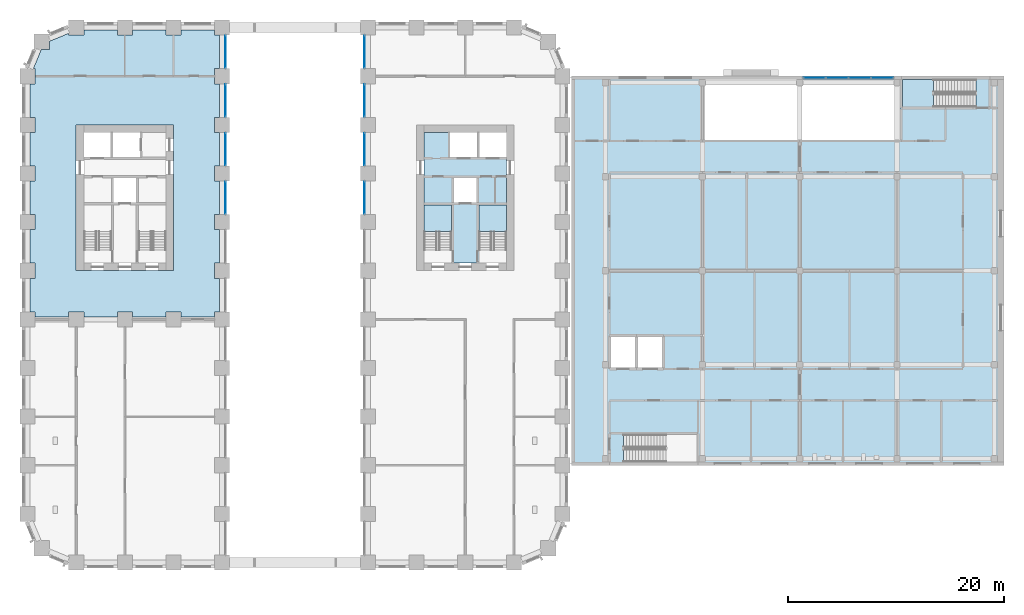
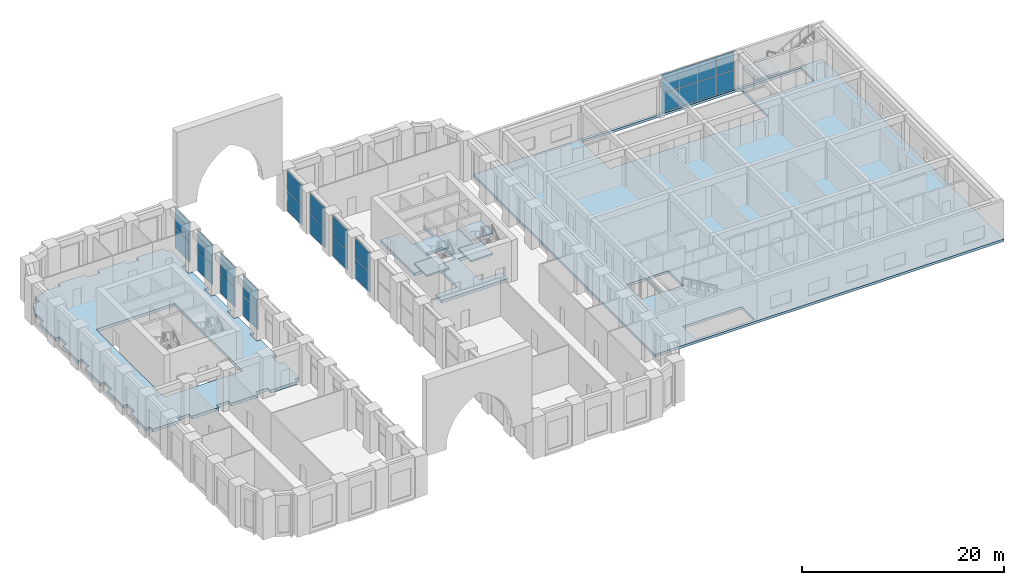
# One storey, part 9 of 25: 24 plates, 8 slabs, 12 elements without a shape of their own.
"""IFC4 building model written with IfcOpenShell, lengths in metres."""

from ifc_helpers import new_model, si_unit, direction, frame, origin, origin_2d, place, context, subcontext, project, spatial, polyline, rectangle, outline, extrude, material, layer, layer_set, type_object, element, aggregate, save


model = new_model("IFC4")

# Units and contexts
model_context = context("Model", 3, precision=1e-05, world=origin(), true_north=direction((0.0, 1.0)))
body_context = subcontext(model_context, "Body", "Model", "MODEL_VIEW")
ifc_project = project(units=[si_unit("LENGTHUNIT", "METRE"), si_unit("AREAUNIT", "SQUARE_METRE"), si_unit("VOLUMEUNIT", "CUBIC_METRE"), si_unit("PLANEANGLEUNIT", "RADIAN"), si_unit("MASSUNIT", "GRAM", prefix="KILO")], contexts=[model_context])

# Site, building, storey
site_placement = place(None, origin())
site = spatial("IfcSite", under=ifc_project, at=site_placement, CompositionType="ELEMENT")
building_placement = place(site_placement, origin())
building = spatial("IfcBuilding", under=site, at=building_placement, Name="Girih Gate Residences", CompositionType="ELEMENT")
storey_placement = place(building_placement, frame((0.0, 0.0, 6.0)))
storey = spatial("IfcBuildingStorey", under=building, at=storey_placement, Name="L01", CompositionType="ELEMENT", Elevation=6.0)

# Slab
ifc_material_1 = material(Name="Concrete C40/50", Category="concrete")
ifc_layer_1 = layer(ifc_material_1, 0.35009765625)
ifc_layer_set_1 = layer_set([ifc_layer_1], Name="Core floor slab 350")
slab_type_1 = type_object("IfcSlabType", Name="Core floor slab 350", PredefinedType="FLOOR", material=ifc_layer_set_1)
slab_1_placement = place(storey_placement, frame((0.0, 0.0, -0.35009765625)))
element("IfcSlab", 1, at=slab_1_placement, inside=storey, type_object=slab_type_1, Name="L01 E core floor", PredefinedType="FLOOR", context=body_context, shape_type="SweptSolid", body=[
    extrude(outline(polyline([(44.300048828125, 27.699951171875), (36.699951171875, 27.699951171875), (36.699951171875, 28.900634765625), (39.25, 28.900634765625), (39.25, 33.10009765625), (36.699951171875, 33.10009765625), (36.699951171875, 39.800048828125), (39.10009765625, 39.800048828125), (39.10009765625, 37.5), (41.60009765625, 37.5), (41.60009765625, 39.800048828125), (41.800048828125, 39.800048828125), (41.800048828125, 37.5), (44.300048828125, 37.5), (44.300048828125, 33.10009765625), (41.75, 33.10009765625), (41.75, 28.900634765625), (44.300048828125, 28.900634765625), (44.300048828125, 27.699951171875)]), holes=[polyline([(39.449951171875, 33.300048828125), (41.550048828125, 33.300048828125), (41.550048828125, 35.60009765625), (39.449951171875, 35.60009765625), (39.449951171875, 33.300048828125)])]), origin(), (0.0, 0.0, 1.0), 0.35009765625),
])

# Curtain wall, plates
ifc_material_2 = material(Name="Aluminium curtain wall frame", Category="aluminium")
curtain_wall_type_1 = type_object("IfcCurtainWallType", Name="Curtain wall CW-2 podium amenity glazing", PredefinedType="NOTDEFINED", material=ifc_material_2)
curtain_wall_1_placement = place(storey_placement, origin())
curtain_wall_1 = element("IfcCurtainWall", 2, at=curtain_wall_1_placement, inside=storey, type_object=curtain_wall_type_1, Name="CW-2 Podium amenity glazing E0180_0000.7", PredefinedType="NOTDEFINED")
ifc_material_3 = material(Name="Double glazed unit")
ifc_layer_2 = layer(ifc_material_3, 0.028076171875)
ifc_layer_set_2 = layer_set([ifc_layer_2], Name="Curtain wall glass panel 28")
plate_type_1 = type_object("IfcPlateType", Name="Curtain wall glass panel 28", PredefinedType="CURTAIN_PANEL", material=ifc_layer_set_2)
plate_1_placement = place(storey_placement, frame((18.31494140625, 33.75, 0.06005859375), z_axis=(0.0, 0.0, 1.0), x_axis=(0.0, 1.0, 0.0)))
plate_1 = element("IfcPlate", 3, at=plate_1_placement, type_object=plate_type_1, Name="CW-2 panel 1.1", PredefinedType="CURTAIN_PANEL", context=body_context, shape_type="SweptSolid", body=[
    extrude(rectangle(XDim=2.97998046875, YDim=0.028076171875, at=origin_2d()), origin(), (0.0, 0.0, 1.0), 2.409912109375),
])
plate_2_placement = place(storey_placement, frame((18.31494140625, 33.75, 2.5302734375), z_axis=(0.0, 0.0, 1.0), x_axis=(0.0, 1.0, 0.0)))
plate_2 = element("IfcPlate", 4, at=plate_2_placement, type_object=plate_type_1, Name="CW-2 panel 1.2", PredefinedType="CURTAIN_PANEL", context=body_context, shape_type="SweptSolid", body=[
    extrude(rectangle(XDim=2.97998046875, YDim=0.028076171875, at=origin_2d()), origin(), (0.0, 0.0, 1.0), 2.409912109375),
])
aggregate(curtain_wall_1, [plate_1, plate_2])

curtain_wall_2_placement = place(storey_placement, origin())
curtain_wall_2 = element("IfcCurtainWall", 5, at=curtain_wall_2_placement, inside=storey, type_object=curtain_wall_type_1, Name="CW-2 Podium amenity glazing E0180_0000.8", PredefinedType="NOTDEFINED")
plate_3_placement = place(storey_placement, frame((18.31494140625, 38.25, 0.06005859375), z_axis=(0.0, 0.0, 1.0), x_axis=(0.0, 1.0, 0.0)))
plate_3 = element("IfcPlate", 6, at=plate_3_placement, type_object=plate_type_1, Name="CW-2 panel 1.1", PredefinedType="CURTAIN_PANEL", context=body_context, shape_type="SweptSolid", body=[
    extrude(rectangle(XDim=2.97998046875, YDim=0.028076171875, at=origin_2d()), origin(), (0.0, 0.0, 1.0), 2.409912109375),
])
plate_4_placement = place(storey_placement, frame((18.31494140625, 38.25, 2.5302734375), z_axis=(0.0, 0.0, 1.0), x_axis=(0.0, 1.0, 0.0)))
plate_4 = element("IfcPlate", 7, at=plate_4_placement, type_object=plate_type_1, Name="CW-2 panel 1.2", PredefinedType="CURTAIN_PANEL", context=body_context, shape_type="SweptSolid", body=[
    extrude(rectangle(XDim=2.97998046875, YDim=0.028076171875, at=origin_2d()), origin(), (0.0, 0.0, 1.0), 2.409912109375),
])
aggregate(curtain_wall_2, [plate_3, plate_4])

curtain_wall_3_placement = place(storey_placement, origin())
curtain_wall_3 = element("IfcCurtainWall", 8, at=curtain_wall_3_placement, inside=storey, type_object=curtain_wall_type_1, Name="CW-2 Podium amenity glazing E0180_0000.9", PredefinedType="NOTDEFINED")
plate_5_placement = place(storey_placement, frame((18.31494140625, 42.75, 0.06005859375), z_axis=(0.0, 0.0, 1.0), x_axis=(0.0, 1.0, 0.0)))
plate_5 = element("IfcPlate", 9, at=plate_5_placement, type_object=plate_type_1, Name="CW-2 panel 1.1", PredefinedType="CURTAIN_PANEL", context=body_context, shape_type="SweptSolid", body=[
    extrude(rectangle(XDim=2.97998046875, YDim=0.028076171875, at=origin_2d()), origin(), (0.0, 0.0, 1.0), 2.409912109375),
])
plate_6_placement = place(storey_placement, frame((18.31494140625, 42.75, 2.5302734375), z_axis=(0.0, 0.0, 1.0), x_axis=(0.0, 1.0, 0.0)))
plate_6 = element("IfcPlate", 10, at=plate_6_placement, type_object=plate_type_1, Name="CW-2 panel 1.2", PredefinedType="CURTAIN_PANEL", context=body_context, shape_type="SweptSolid", body=[
    extrude(rectangle(XDim=2.97998046875, YDim=0.028076171875, at=origin_2d()), origin(), (0.0, 0.0, 1.0), 2.409912109375),
])
aggregate(curtain_wall_3, [plate_5, plate_6])

curtain_wall_4_placement = place(storey_placement, origin())
curtain_wall_4 = element("IfcCurtainWall", 11, at=curtain_wall_4_placement, inside=storey, type_object=curtain_wall_type_1, Name="CW-2 Podium amenity glazing E0180_0000.10", PredefinedType="NOTDEFINED")
plate_7_placement = place(storey_placement, frame((18.31494140625, 47.25, 0.06005859375), z_axis=(0.0, 0.0, 1.0), x_axis=(0.0, 1.0, 0.0)))
plate_7 = element("IfcPlate", 12, at=plate_7_placement, type_object=plate_type_1, Name="CW-2 panel 1.1", PredefinedType="CURTAIN_PANEL", context=body_context, shape_type="SweptSolid", body=[
    extrude(rectangle(XDim=2.97998046875, YDim=0.028076171875, at=origin_2d()), origin(), (0.0, 0.0, 1.0), 2.409912109375),
])
plate_8_placement = place(storey_placement, frame((18.31494140625, 47.25, 2.5302734375), z_axis=(0.0, 0.0, 1.0), x_axis=(0.0, 1.0, 0.0)))
plate_8 = element("IfcPlate", 13, at=plate_8_placement, type_object=plate_type_1, Name="CW-2 panel 1.2", PredefinedType="CURTAIN_PANEL", context=body_context, shape_type="SweptSolid", body=[
    extrude(rectangle(XDim=2.97998046875, YDim=0.028076171875, at=origin_2d()), origin(), (0.0, 0.0, 1.0), 2.409912109375),
])
aggregate(curtain_wall_4, [plate_7, plate_8])

curtain_wall_5_placement = place(storey_placement, origin())
curtain_wall_5 = element("IfcCurtainWall", 14, at=curtain_wall_5_placement, inside=storey, type_object=curtain_wall_type_1, Name="CW-2 Podium amenity glazing W0315_0495.0", PredefinedType="NOTDEFINED")
plate_9_placement = place(storey_placement, frame((31.18505859375, 47.25, 0.06005859375), z_axis=(0.0, 0.0, 1.0), x_axis=(0.0, -1.0, 0.0)))
plate_9 = element("IfcPlate", 15, at=plate_9_placement, type_object=plate_type_1, Name="CW-2 panel 1.1", PredefinedType="CURTAIN_PANEL", context=body_context, shape_type="SweptSolid", body=[
    extrude(rectangle(XDim=2.97998046875, YDim=0.028076171875, at=origin_2d()), origin(), (0.0, 0.0, 1.0), 2.409912109375),
])
plate_10_placement = place(storey_placement, frame((31.18505859375, 47.25, 2.5302734375), z_axis=(0.0, 0.0, 1.0), x_axis=(0.0, -1.0, 0.0)))
plate_10 = element("IfcPlate", 16, at=plate_10_placement, type_object=plate_type_1, Name="CW-2 panel 1.2", PredefinedType="CURTAIN_PANEL", context=body_context, shape_type="SweptSolid", body=[
    extrude(rectangle(XDim=2.97998046875, YDim=0.028076171875, at=origin_2d()), origin(), (0.0, 0.0, 1.0), 2.409912109375),
])
aggregate(curtain_wall_5, [plate_9, plate_10])

curtain_wall_6_placement = place(storey_placement, origin())
curtain_wall_6 = element("IfcCurtainWall", 17, at=curtain_wall_6_placement, inside=storey, type_object=curtain_wall_type_1, Name="CW-2 Podium amenity glazing W0315_0495.1", PredefinedType="NOTDEFINED")
plate_11_placement = place(storey_placement, frame((31.18505859375, 42.75, 0.06005859375), z_axis=(0.0, 0.0, 1.0), x_axis=(0.0, -1.0, 0.0)))
plate_11 = element("IfcPlate", 18, at=plate_11_placement, type_object=plate_type_1, Name="CW-2 panel 1.1", PredefinedType="CURTAIN_PANEL", context=body_context, shape_type="SweptSolid", body=[
    extrude(rectangle(XDim=2.97998046875, YDim=0.028076171875, at=origin_2d()), origin(), (0.0, 0.0, 1.0), 2.409912109375),
])
plate_12_placement = place(storey_placement, frame((31.18505859375, 42.75, 2.5302734375), z_axis=(0.0, 0.0, 1.0), x_axis=(0.0, -1.0, 0.0)))
plate_12 = element("IfcPlate", 19, at=plate_12_placement, type_object=plate_type_1, Name="CW-2 panel 1.2", PredefinedType="CURTAIN_PANEL", context=body_context, shape_type="SweptSolid", body=[
    extrude(rectangle(XDim=2.97998046875, YDim=0.028076171875, at=origin_2d()), origin(), (0.0, 0.0, 1.0), 2.409912109375),
])
aggregate(curtain_wall_6, [plate_11, plate_12])

curtain_wall_7_placement = place(storey_placement, origin())
curtain_wall_7 = element("IfcCurtainWall", 20, at=curtain_wall_7_placement, inside=storey, type_object=curtain_wall_type_1, Name="CW-2 Podium amenity glazing W0315_0495.2", PredefinedType="NOTDEFINED")
plate_13_placement = place(storey_placement, frame((31.18505859375, 38.25, 0.06005859375), z_axis=(0.0, 0.0, 1.0), x_axis=(0.0, -1.0, 0.0)))
plate_13 = element("IfcPlate", 21, at=plate_13_placement, type_object=plate_type_1, Name="CW-2 panel 1.1", PredefinedType="CURTAIN_PANEL", context=body_context, shape_type="SweptSolid", body=[
    extrude(rectangle(XDim=2.97998046875, YDim=0.028076171875, at=origin_2d()), origin(), (0.0, 0.0, 1.0), 2.409912109375),
])
plate_14_placement = place(storey_placement, frame((31.18505859375, 38.25, 2.5302734375), z_axis=(0.0, 0.0, 1.0), x_axis=(0.0, -1.0, 0.0)))
plate_14 = element("IfcPlate", 22, at=plate_14_placement, type_object=plate_type_1, Name="CW-2 panel 1.2", PredefinedType="CURTAIN_PANEL", context=body_context, shape_type="SweptSolid", body=[
    extrude(rectangle(XDim=2.97998046875, YDim=0.028076171875, at=origin_2d()), origin(), (0.0, 0.0, 1.0), 2.409912109375),
])
aggregate(curtain_wall_7, [plate_13, plate_14])

curtain_wall_8_placement = place(storey_placement, origin())
curtain_wall_8 = element("IfcCurtainWall", 23, at=curtain_wall_8_placement, inside=storey, type_object=curtain_wall_type_1, Name="CW-2 Podium amenity glazing W0315_0495.3", PredefinedType="NOTDEFINED")
plate_15_placement = place(storey_placement, frame((31.18505859375, 33.75, 0.06005859375), z_axis=(0.0, 0.0, 1.0), x_axis=(0.0, -1.0, 0.0)))
plate_15 = element("IfcPlate", 24, at=plate_15_placement, type_object=plate_type_1, Name="CW-2 panel 1.1", PredefinedType="CURTAIN_PANEL", context=body_context, shape_type="SweptSolid", body=[
    extrude(rectangle(XDim=2.97998046875, YDim=0.028076171875, at=origin_2d()), origin(), (0.0, 0.0, 1.0), 2.409912109375),
])
plate_16_placement = place(storey_placement, frame((31.18505859375, 33.75, 2.5302734375), z_axis=(0.0, 0.0, 1.0), x_axis=(0.0, -1.0, 0.0)))
plate_16 = element("IfcPlate", 25, at=plate_16_placement, type_object=plate_type_1, Name="CW-2 panel 1.2", PredefinedType="CURTAIN_PANEL", context=body_context, shape_type="SweptSolid", body=[
    extrude(rectangle(XDim=2.97998046875, YDim=0.028076171875, at=origin_2d()), origin(), (0.0, 0.0, 1.0), 2.409912109375),
])
aggregate(curtain_wall_8, [plate_15, plate_16])

# Slab
ifc_layer_3 = layer(ifc_material_1, 0.35009765625)
ifc_layer_set_3 = layer_set([ifc_layer_3], Name="Floor slab PT 350 Concrete C40/50")
slab_type_2 = type_object("IfcSlabType", Name="Floor slab PT 350 Concrete C40/50", PredefinedType="FLOOR", material=ifc_layer_set_3)
slab_2_placement = place(storey_placement, frame((0.0, 0.0, -0.35009765625)))
element("IfcSlab", 26, at=slab_2_placement, inside=storey, type_object=slab_type_2, Name="Floor slab L01 2", PredefinedType="FLOOR", context=body_context, shape_type="SweptSolid", body=[
    extrude(outline(polyline([(0.22509765625, 26.300048828125), (0.22509765625, 23.199951171875), (0.699951171875, 23.199951171875), (0.699951171875, 22.72509765625), (3.800048828125, 22.72509765625), (3.800048828125, 23.199951171875), (5.199951171875, 23.199951171875), (5.199951171875, 22.72509765625), (8.300048828125, 22.72509765625), (8.300048828125, 23.199951171875), (9.699951171875, 23.199951171875), (9.699951171875, 22.72509765625), (12.800048828125, 22.72509765625), (12.800048828125, 23.199951171875), (14.199951171875, 23.199951171875), (14.199951171875, 22.72509765625), (17.300048828125, 22.72509765625), (17.300048828125, 23.199951171875), (17.77490234375, 23.199951171875), (17.77490234375, 26.300048828125), (17.300048828125, 26.300048828125), (17.300048828125, 27.699951171875), (17.77490234375, 27.699951171875), (17.77490234375, 30.800048828125), (17.300048828125, 30.800048828125), (17.300048828125, 32.199951171875), (17.77490234375, 32.199951171875), (17.77490234375, 35.300048828125), (17.300048828125, 35.300048828125), (17.300048828125, 36.699951171875), (17.77490234375, 36.699951171875), (17.77490234375, 39.800048828125), (17.300048828125, 39.800048828125), (17.300048828125, 41.199951171875), (17.77490234375, 41.199951171875), (17.77490234375, 44.300048828125), (17.300048828125, 44.300048828125), (17.300048828125, 45.699951171875), (17.77490234375, 45.699951171875), (17.77490234375, 48.800048828125), (17.300048828125, 48.800048828125), (17.300048828125, 49.27490234375), (14.199951171875, 49.27490234375), (14.199951171875, 48.800048828125), (12.800048828125, 48.800048828125), (12.800048828125, 49.27490234375), (9.699951171875, 49.27490234375), (9.699951171875, 48.800048828125), (8.300048828125, 48.800048828125), (8.300048828125, 49.27490234375), (5.199951171875, 49.27490234375), (5.199951171875, 48.800048828125), (3.800048828125, 48.800048828125), (3.800048828125, 48.966552734375), (2.01806640625, 48.228271484375), (2.01806640625, 47.48193359375), (1.271728515625, 47.48193359375), (0.533447265625, 45.699951171875), (0.699951171875, 45.699951171875), (0.699951171875, 44.300048828125), (0.22509765625, 44.300048828125), (0.22509765625, 41.199951171875), (0.699951171875, 41.199951171875), (0.699951171875, 39.800048828125), (0.22509765625, 39.800048828125), (0.22509765625, 36.699951171875), (0.699951171875, 36.699951171875), (0.699951171875, 35.300048828125), (0.22509765625, 35.300048828125), (0.22509765625, 32.199951171875), (0.699951171875, 32.199951171875), (0.699951171875, 30.800048828125), (0.22509765625, 30.800048828125), (0.22509765625, 27.699951171875), (0.699951171875, 27.699951171875), (0.699951171875, 26.300048828125), (0.22509765625, 26.300048828125)]), holes=[polyline([(13.5, 40.5), (13.5, 27.0), (4.5, 27.0), (4.5, 40.5), (13.5, 40.5)])]), origin(), (0.0, 0.0, 1.0), 0.35009765625),
])

# Curtain wall, plates
ifc_material_4 = material(Name="Aluminium curtain wall", Category="aluminium")
curtain_wall_type_2 = type_object("IfcCurtainWallType", Name="HC CW-5 curtain wall", PredefinedType="NOTDEFINED", material=ifc_material_4)
curtain_wall_9_placement = place(storey_placement, origin())
curtain_wall_9 = element("IfcCurtainWall", 27, at=curtain_wall_9_placement, inside=storey, type_object=curtain_wall_type_2, Name="L01 Health Hall curtain wall", PredefinedType="NOTDEFINED")
ifc_layer_4 = layer(ifc_material_3, 0.028076171875)
ifc_layer_set_4 = layer_set([ifc_layer_4], Name="HC CW-5 panel 28")
plate_type_2 = type_object("IfcPlateType", Name="HC CW-5 panel 28", PredefinedType="CURTAIN_PANEL", material=ifc_layer_set_4)
plate_17_placement = place(storey_placement, frame((72.81494140625, 44.85009765625, 0.06005859375), z_axis=(0.0, 0.0, 1.0), x_axis=(1.0, 0.0, 0.0)))
plate_17 = element("IfcPlate", 28, at=plate_17_placement, type_object=plate_type_2, Name="CW-5 panel 1.1", PredefinedType="CURTAIN_PANEL", context=body_context, shape_type="SweptSolid", body=[
    extrude(rectangle(XDim=2.010009765625, YDim=0.028076171875, at=origin_2d()), origin(), (0.0, 0.0, 1.0), 2.260009765625),
])
plate_18_placement = place(storey_placement, frame((72.81494140625, 44.85009765625, 2.3798828125), z_axis=(0.0, 0.0, 1.0), x_axis=(1.0, 0.0, 0.0)))
plate_18 = element("IfcPlate", 29, at=plate_18_placement, type_object=plate_type_2, Name="CW-5 panel 1.2", PredefinedType="CURTAIN_PANEL", context=body_context, shape_type="SweptSolid", body=[
    extrude(rectangle(XDim=2.010009765625, YDim=0.028076171875, at=origin_2d()), origin(), (0.0, 0.0, 1.0), 2.260009765625),
])
plate_19_placement = place(storey_placement, frame((74.89990234375, 44.85009765625, 0.06005859375), z_axis=(0.0, 0.0, 1.0), x_axis=(1.0, 0.0, 0.0)))
plate_19 = element("IfcPlate", 30, at=plate_19_placement, type_object=plate_type_2, Name="CW-5 panel 2.1", PredefinedType="CURTAIN_PANEL", context=body_context, shape_type="SweptSolid", body=[
    extrude(rectangle(XDim=2.0400390625, YDim=0.028076171875, at=origin_2d()), origin(), (0.0, 0.0, 1.0), 2.260009765625),
])
plate_20_placement = place(storey_placement, frame((74.89990234375, 44.85009765625, 2.3798828125), z_axis=(0.0, 0.0, 1.0), x_axis=(1.0, 0.0, 0.0)))
plate_20 = element("IfcPlate", 31, at=plate_20_placement, type_object=plate_type_2, Name="CW-5 panel 2.2", PredefinedType="CURTAIN_PANEL", context=body_context, shape_type="SweptSolid", body=[
    extrude(rectangle(XDim=2.0400390625, YDim=0.028076171875, at=origin_2d()), origin(), (0.0, 0.0, 1.0), 2.260009765625),
])
plate_21_placement = place(storey_placement, frame((77.0, 44.85009765625, 0.06005859375), z_axis=(0.0, 0.0, 1.0), x_axis=(1.0, 0.0, 0.0)))
plate_21 = element("IfcPlate", 32, at=plate_21_placement, type_object=plate_type_2, Name="CW-5 panel 3.1", PredefinedType="CURTAIN_PANEL", context=body_context, shape_type="SweptSolid", body=[
    extrude(rectangle(XDim=2.0400390625, YDim=0.028076171875, at=origin_2d()), origin(), (0.0, 0.0, 1.0), 2.260009765625),
])
plate_22_placement = place(storey_placement, frame((77.0, 44.85009765625, 2.3798828125), z_axis=(0.0, 0.0, 1.0), x_axis=(1.0, 0.0, 0.0)))
plate_22 = element("IfcPlate", 33, at=plate_22_placement, type_object=plate_type_2, Name="CW-5 panel 3.2", PredefinedType="CURTAIN_PANEL", context=body_context, shape_type="SweptSolid", body=[
    extrude(rectangle(XDim=2.0400390625, YDim=0.028076171875, at=origin_2d()), origin(), (0.0, 0.0, 1.0), 2.260009765625),
])
plate_23_placement = place(storey_placement, frame((79.0849609375, 44.85009765625, 0.06005859375), z_axis=(0.0, 0.0, 1.0), x_axis=(1.0, 0.0, 0.0)))
plate_23 = element("IfcPlate", 34, at=plate_23_placement, type_object=plate_type_2, Name="CW-5 panel 4.1", PredefinedType="CURTAIN_PANEL", context=body_context, shape_type="SweptSolid", body=[
    extrude(rectangle(XDim=2.010009765625, YDim=0.028076171875, at=origin_2d()), origin(), (0.0, 0.0, 1.0), 2.260009765625),
])
plate_24_placement = place(storey_placement, frame((79.0849609375, 44.85009765625, 2.3798828125), z_axis=(0.0, 0.0, 1.0), x_axis=(1.0, 0.0, 0.0)))
plate_24 = element("IfcPlate", 35, at=plate_24_placement, type_object=plate_type_2, Name="CW-5 panel 4.2", PredefinedType="CURTAIN_PANEL", context=body_context, shape_type="SweptSolid", body=[
    extrude(rectangle(XDim=2.010009765625, YDim=0.028076171875, at=origin_2d()), origin(), (0.0, 0.0, 1.0), 2.260009765625),
])
aggregate(curtain_wall_9, [plate_17, plate_18, plate_19, plate_20, plate_21, plate_22, plate_23, plate_24])

# Slab
ifc_layer_5 = layer(ifc_material_1, 0.300048828125)
ifc_layer_set_5 = layer_set([ifc_layer_5], Name="HC Floor slab 300 C40/50")
slab_type_3 = type_object("IfcSlabType", Name="HC Floor slab 300 C40/50", PredefinedType="FLOOR", material=ifc_layer_set_5)
slab_3_placement = place(storey_placement, frame((0.0, 0.0, -0.300048828125)))
element("IfcSlab", 36, at=slab_3_placement, inside=storey, type_object=slab_type_3, Name="L01 floor slab", PredefinedType="FLOOR", context=body_context, shape_type="SweptSolid", body=[
    extrude(outline(polyline([(50.35009765625, 9.0), (90.35009765625, 9.0), (90.35009765625, 45.0), (50.35009765625, 45.0), (50.35009765625, 9.0)]), holes=[polyline([(55.150390625, 9.300048828125), (61.949951171875, 9.300048828125), (61.949951171875, 11.85009765625), (55.150390625, 11.85009765625), (55.150390625, 9.300048828125)]), polyline([(87.74951171875, 44.699951171875), (80.949951171875, 44.699951171875), (80.949951171875, 42.14990234375), (87.74951171875, 42.14990234375), (87.74951171875, 44.699951171875)]), polyline([(53.949951171875, 18.0), (56.25, 18.0), (56.25, 20.89990234375), (53.949951171875, 20.89990234375), (53.949951171875, 18.0)]), polyline([(56.449951171875, 18.0), (58.75, 18.0), (58.75, 20.89990234375), (56.449951171875, 20.89990234375), (56.449951171875, 18.0)]), polyline([(62.550048828125, 39.10009765625), (80.75, 39.10009765625), (80.75, 44.699951171875), (62.550048828125, 44.699951171875), (62.550048828125, 39.10009765625)])]), origin(), (0.0, 0.0, 1.0), 0.300048828125),
])

# Stair, slab
stair_type_1 = type_object("IfcStairType", Name="HC Stair", PredefinedType="HALF_TURN_STAIR", material=ifc_material_1)
stair_1_placement = place(storey_placement, origin())
stair_1 = element("IfcStair", 37, at=stair_1_placement, inside=storey, type_object=stair_type_1, Name="L01 stair B", PredefinedType="HALF_TURN_STAIR")
ifc_layer_6 = layer(ifc_material_1, 0.199951171875)
ifc_layer_set_6 = layer_set([ifc_layer_6], Name="HC Stair landing 200")
slab_type_4 = type_object("IfcSlabType", Name="HC Stair landing 200", PredefinedType="LANDING", material=ifc_layer_set_6)
slab_4_placement = place(storey_placement, frame((0.0, 0.0, 2.300048828125)))
slab_4 = element("IfcSlab", 38, at=slab_4_placement, type_object=slab_type_4, Name="HC-STB landing 1", PredefinedType="LANDING", context=body_context, shape_type="SweptSolid", body=[
    extrude(outline(polyline([(83.830078125, 44.699951171875), (80.949951171875, 44.699951171875), (80.949951171875, 42.14990234375), (83.830078125, 42.14990234375), (83.830078125, 44.699951171875)])), origin(), (0.0, 0.0, 1.0), 0.199951171875),
])
aggregate(stair_1, [slab_4])

# Stair, slabs
stair_type_2 = type_object("IfcStairType", Name="Exit stair", PredefinedType="HALF_TURN_STAIR", material=ifc_material_1)
stair_2_placement = place(storey_placement, origin())
stair_2 = element("IfcStair", 39, at=stair_2_placement, inside=storey, type_object=stair_type_2, Name="L01 Exit Stair ST-E1", PredefinedType="HALF_TURN_STAIR")
ifc_layer_7 = layer(ifc_material_1, 0.199951171875)
ifc_layer_set_7 = layer_set([ifc_layer_7], Name="Stair landing 200")
slab_type_5 = type_object("IfcSlabType", Name="Stair landing 200", PredefinedType="LANDING", material=ifc_layer_set_7)
slab_5_placement = place(storey_placement, frame((0.0, 0.0, 1.050048828125)))
slab_5 = element("IfcSlab", 40, at=slab_5_placement, type_object=slab_type_5, Name="ST-E1 landing 1", PredefinedType="LANDING", context=body_context, shape_type="SweptSolid", body=[
    extrude(outline(polyline([(44.300048828125, 30.64990234375), (44.300048828125, 33.10009765625), (41.75, 33.10009765625), (41.75, 30.64990234375), (44.300048828125, 30.64990234375)])), origin(), (0.0, 0.0, 1.0), 0.199951171875),
])
slab_6_placement = place(storey_placement, frame((0.0, 0.0, 3.550048828125)))
slab_6 = element("IfcSlab", 41, at=slab_6_placement, type_object=slab_type_5, Name="ST-E1 landing 3", PredefinedType="LANDING", context=body_context, shape_type="SweptSolid", body=[
    extrude(outline(polyline([(44.300048828125, 30.64990234375), (44.300048828125, 33.10009765625), (41.75, 33.10009765625), (41.75, 30.64990234375), (44.300048828125, 30.64990234375)])), origin(), (0.0, 0.0, 1.0), 0.199951171875),
])
aggregate(stair_2, [slab_5, slab_6])

stair_3_placement = place(storey_placement, origin())
stair_3 = element("IfcStair", 42, at=stair_3_placement, inside=storey, type_object=stair_type_2, Name="L01 Exit Stair ST-E2", PredefinedType="HALF_TURN_STAIR")
slab_7_placement = place(storey_placement, frame((0.0, 0.0, 1.050048828125)))
slab_7 = element("IfcSlab", 43, at=slab_7_placement, type_object=slab_type_5, Name="ST-E2 landing 1", PredefinedType="LANDING", context=body_context, shape_type="SweptSolid", body=[
    extrude(outline(polyline([(39.25, 30.64990234375), (39.25, 33.10009765625), (36.699951171875, 33.10009765625), (36.699951171875, 30.64990234375), (39.25, 30.64990234375)])), origin(), (0.0, 0.0, 1.0), 0.199951171875),
])
slab_8_placement = place(storey_placement, frame((0.0, 0.0, 3.550048828125)))
slab_8 = element("IfcSlab", 44, at=slab_8_placement, type_object=slab_type_5, Name="ST-E2 landing 3", PredefinedType="LANDING", context=body_context, shape_type="SweptSolid", body=[
    extrude(outline(polyline([(39.25, 30.64990234375), (39.25, 33.10009765625), (36.699951171875, 33.10009765625), (36.699951171875, 30.64990234375), (39.25, 30.64990234375)])), origin(), (0.0, 0.0, 1.0), 0.199951171875),
])
aggregate(stair_3, [slab_7, slab_8])

save(model, "model.ifc")
